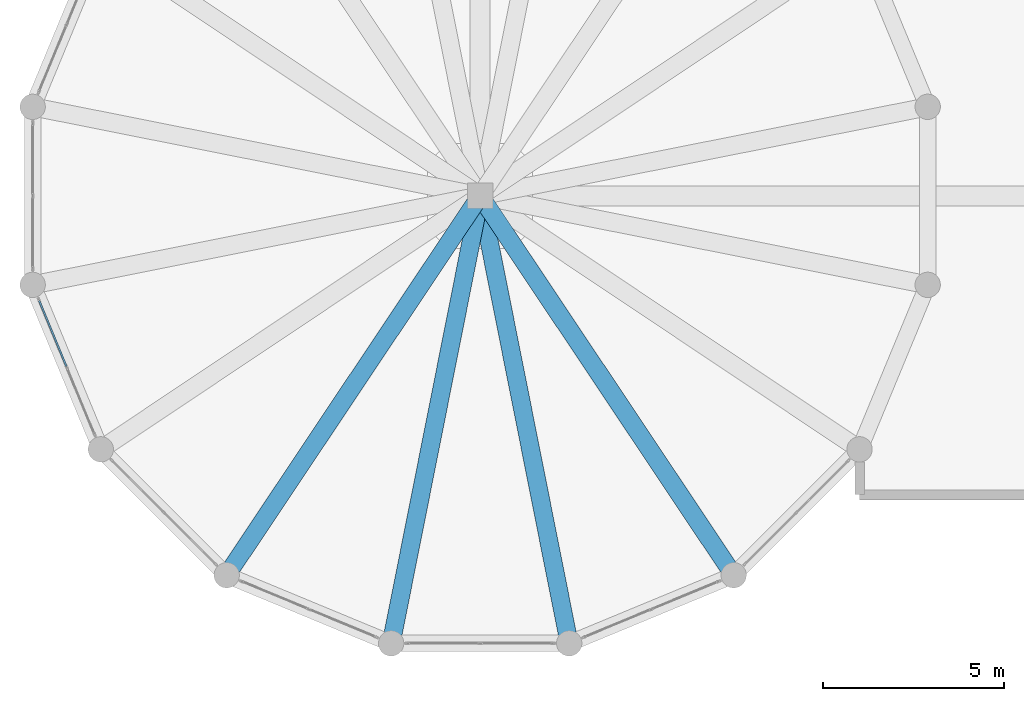
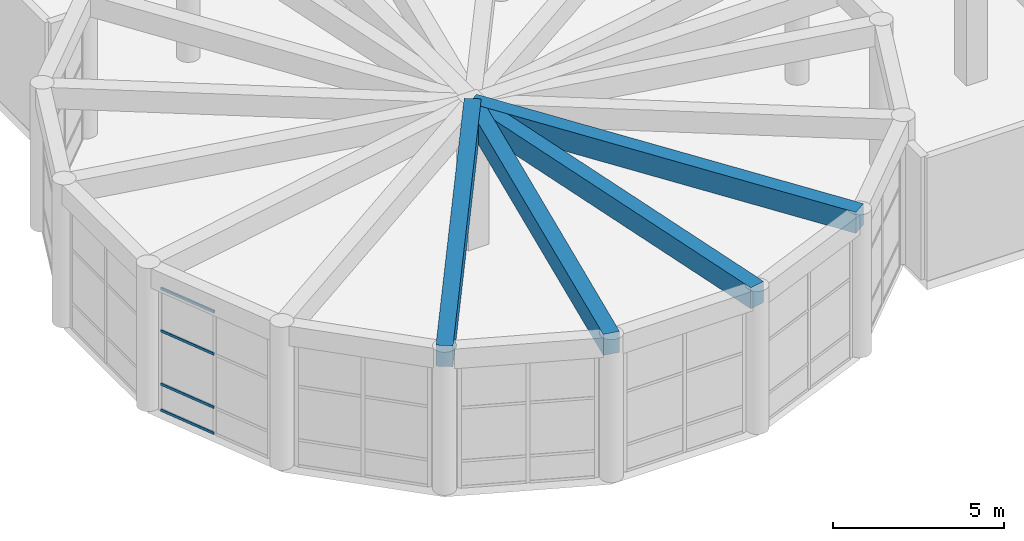
# One storey, part 6 of 95: 4 beams, 4 members, 1 element without a shape of its own.
"""IFC4 building model written with IfcOpenShell, lengths in metres."""

from ifc_helpers import new_model, si_unit, direction, frame, origin, origin_2d, place, context, subcontext, project, spatial, rectangle, hollow_rectangle, extrude, material, material_profile, profile_set, type_object, element, aggregate, save


model = new_model("IFC4")

# Units and contexts
model_context = context("Model", 3, precision=1e-05, world=origin(), true_north=direction((0.0, 1.0)))
body_context = subcontext(model_context, "Body", "Model", "MODEL_VIEW")
ifc_project = project(units=[si_unit("LENGTHUNIT", "METRE"), si_unit("AREAUNIT", "SQUARE_METRE"), si_unit("VOLUMEUNIT", "CUBIC_METRE"), si_unit("PLANEANGLEUNIT", "RADIAN"), si_unit("MASSUNIT", "GRAM", prefix="KILO")], contexts=[model_context])

# Site, building, storey
site_placement = place(None, origin())
site = spatial("IfcSite", under=ifc_project, at=site_placement, CompositionType="ELEMENT")
building_placement = place(site_placement, origin())
building = spatial("IfcBuilding", under=site, at=building_placement, Name="Almacenes y Pasaje Nevantli", CompositionType="ELEMENT")
storey_placement = place(building_placement, frame((0.0, 0.0, 11.39990234375)))
storey = spatial("IfcBuildingStorey", under=building, at=storey_placement, Name="L03", CompositionType="ELEMENT", Elevation=11.39990234375)

# Beams
ifc_material_1 = material(Name="Concrete C35/45", Category="concrete")
ifc_material_profile_1 = material_profile(ifc_material_1, rectangle(XDim=0.5, YDim=0.75, at=origin_2d()), Name="RC-BM-500x750")
ifc_profile_set_1 = profile_set([ifc_material_profile_1], Name="Concrete C35/45")
beam_type = type_object("IfcBeamType", Name="BM-RC-500x750", PredefinedType="BEAM", material=ifc_profile_set_1)
beam_1_placement = place(storey_placement, frame((8.39990234375, 8.39990234375, 4.72509765625), z_axis=(-0.555567372569, -0.831471523588, 0.0), x_axis=(0.831471523588, -0.555567372569, 0.0)))
element("IfcBeam", 1, at=beam_1_placement, inside=storey, type_object=beam_type, Name="L03 Rotunda Radial Girder #11", PredefinedType="BEAM", context=body_context, shape_type="SweptSolid", body=[
    extrude(rectangle(XDim=0.5, YDim=0.75, at=origin_2d()), origin(), (0.0, 0.0, 1.0), 12.599853515625),
])
for number, where, z_axis, x_axis, name in (
    (2, (8.39990234375, 8.39990234375, 4.72509765625), (-0.195080141274, -0.980787305424, 0.0), (0.980787305424, -0.195080141274, 0.0), "L03 Rotunda Radial Girder #12"),
    (3, (8.39990234375, 8.39990234375, 4.72509765625), (0.195098780036, -0.980783597961, 0.0), (0.980783597961, 0.195098780036, 0.0), "L03 Rotunda Radial Girder #13"),
):
    element("IfcBeam", number, at=place(storey_placement, frame(where, z_axis=z_axis, x_axis=x_axis)), inside=storey, type_object=beam_type, Name=name, PredefinedType="BEAM", context=body_context, shape_type="SweptSolid", body=[
        extrude(rectangle(XDim=0.5, YDim=0.75, at=origin_2d()), origin(), (0.0, 0.0, 1.0), 12.60009765625),
    ])
beam_2_placement = place(storey_placement, frame((8.39990234375, 8.39990234375, 4.72509765625), z_axis=(0.555580768302, -0.831462572755, 0.0), x_axis=(0.831462572755, 0.555580768302, 0.0)))
element("IfcBeam", 4, at=beam_2_placement, inside=storey, type_object=beam_type, Name="L03 Rotunda Radial Girder #14", PredefinedType="BEAM", context=body_context, shape_type="SweptSolid", body=[
    extrude(rectangle(XDim=0.5, YDim=0.75, at=origin_2d()), origin(), (0.0, 0.0, 1.0), 12.599853515625),
])

# Curtain wall, members
ifc_material_2 = material(Name="Thermally Broken Aluminium and Low-E Glass", Category="aluminium")
curtain_wall_type = type_object("IfcCurtainWallType", Name="CW-UNIT-ROTUNDA", PredefinedType="USERDEFINED", material=ifc_material_2)
curtain_wall_placement = place(storey_placement, origin())
curtain_wall = element("IfcCurtainWall", 5, at=curtain_wall_placement, inside=storey, type_object=curtain_wall_type, Name="L03 Corner Rotunda Faceted Curtain Wall Facet #9", ObjectType="UNITIZED CURTAIN WALL", PredefinedType="USERDEFINED")
ifc_material_3 = material(Name="Thermally Broken Anodized Aluminium", Category="aluminium")
ifc_material_profile_2 = material_profile(ifc_material_3, hollow_rectangle(XDim=0.050048828125, YDim=0.090087890625, WallThickness=0.0029296875, at=origin_2d()), Name="ALU-TRN-50x90")
ifc_profile_set_2 = profile_set([ifc_material_profile_2], Name="Thermally Broken Anodized Aluminium")
member_type = type_object("IfcMemberType", Name="CW-TRN-100", PredefinedType="USERDEFINED", material=ifc_profile_set_2)
member_1_placement = place(storey_placement, frame((-3.778076171875, 5.507568359375, 0.025146484375), z_axis=(0.382662992588, -0.923887998679, 0.0), x_axis=(0.923887998679, 0.382662992588, 0.0)))
member_1 = element("IfcMember", 6, at=member_1_placement, type_object=member_type, Name="CW-L03-061 transom 1.1", ObjectType="TRANSOM", PredefinedType="USERDEFINED", context=body_context, shape_type="SweptSolid", body=[
    extrude(hollow_rectangle(XDim=0.050048828125, YDim=0.090087890625, WallThickness=0.0029296875, at=origin_2d()), origin(), (0.0, 0.0, 1.0), 1.963134765625),
])
member_2_placement = place(storey_placement, frame((-3.778076171875, 5.507568359375, 0.9501953125), z_axis=(0.382662992588, -0.923887998679, 0.0), x_axis=(0.923887998679, 0.382662992588, 0.0)))
member_2 = element("IfcMember", 7, at=member_2_placement, type_object=member_type, Name="CW-L03-061 transom 1.2", ObjectType="TRANSOM", PredefinedType="USERDEFINED", context=body_context, shape_type="SweptSolid", body=[
    extrude(hollow_rectangle(XDim=0.050048828125, YDim=0.090087890625, WallThickness=0.0029296875, at=origin_2d()), origin(), (0.0, 0.0, 1.0), 1.963134765625),
])
member_3_placement = place(storey_placement, frame((-3.778076171875, 5.507568359375, 2.85009765625), z_axis=(0.382662992588, -0.923887998679, 0.0), x_axis=(0.923887998679, 0.382662992588, 0.0)))
member_3 = element("IfcMember", 8, at=member_3_placement, type_object=member_type, Name="CW-L03-061 transom 1.3", ObjectType="TRANSOM", PredefinedType="USERDEFINED", context=body_context, shape_type="SweptSolid", body=[
    extrude(hollow_rectangle(XDim=0.050048828125, YDim=0.090087890625, WallThickness=0.0029296875, at=origin_2d()), origin(), (0.0, 0.0, 1.0), 1.963134765625),
])
member_4_placement = place(storey_placement, frame((-3.778076171875, 5.507568359375, 4.35498046875), z_axis=(0.382662992588, -0.923887998679, 0.0), x_axis=(0.923887998679, 0.382662992588, 0.0)))
member_4 = element("IfcMember", 9, at=member_4_placement, type_object=member_type, Name="CW-L03-061 transom 1.4", ObjectType="TRANSOM", PredefinedType="USERDEFINED", context=body_context, shape_type="SweptSolid", body=[
    extrude(hollow_rectangle(XDim=0.050048828125, YDim=0.090087890625, WallThickness=0.0029296875, at=origin_2d()), origin(), (0.0, 0.0, 1.0), 1.963134765625),
])
aggregate(curtain_wall, [member_1, member_2, member_3, member_4])

save(model, "model.ifc")
